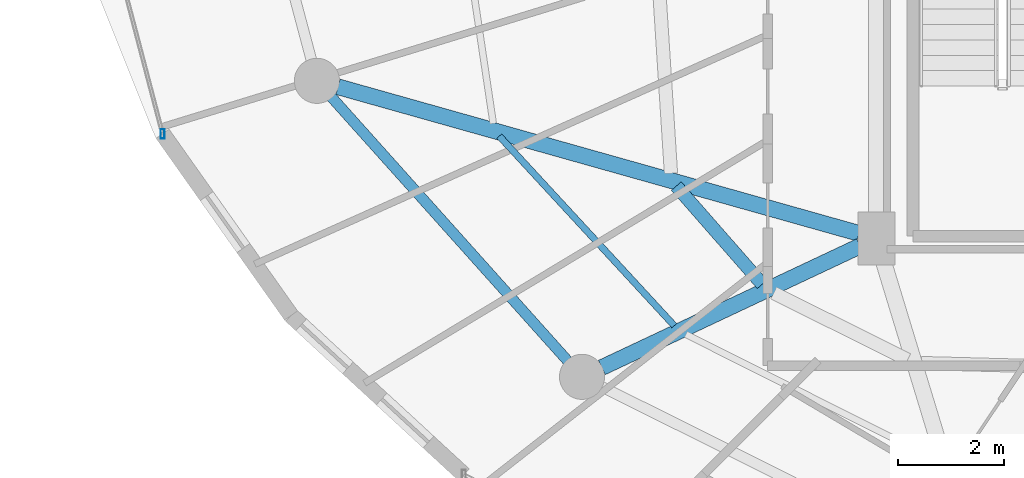
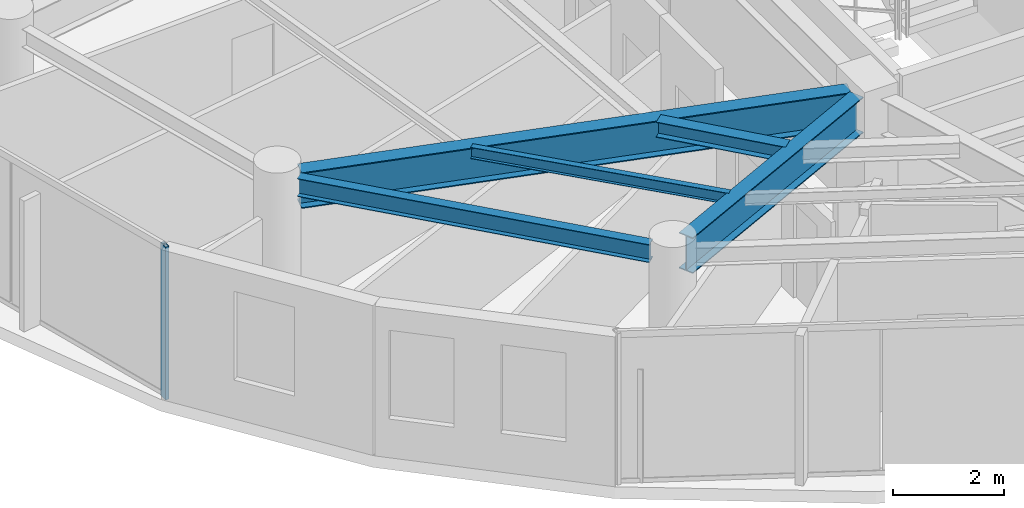
# One storey, part 3 of 29: 5 beams, 1 member, 1 element without a shape of its own.
"""IFC4 building model written with IfcOpenShell, lengths in metres."""

from ifc_helpers import new_model, si_unit, direction, frame, origin, origin_2d, place, context, subcontext, project, spatial, hollow_rectangle, i_section, extrude, material, material_profile, profile_set, type_object, element, aggregate, save


model = new_model("IFC4")

# Units and contexts
model_context = context("Model", 3, precision=1e-05, world=origin(), true_north=direction((0.0, 1.0)))
body_context = subcontext(model_context, "Body", "Model", "MODEL_VIEW")
ifc_project = project(units=[si_unit("LENGTHUNIT", "METRE"), si_unit("AREAUNIT", "SQUARE_METRE"), si_unit("VOLUMEUNIT", "CUBIC_METRE"), si_unit("PLANEANGLEUNIT", "RADIAN"), si_unit("MASSUNIT", "GRAM", prefix="KILO")], contexts=[model_context])

# Site, building, storey
site_placement = place(None, origin())
site = spatial("IfcSite", under=ifc_project, at=site_placement, CompositionType="ELEMENT")
building_placement = place(site_placement, origin())
building = spatial("IfcBuilding", under=site, at=building_placement, Name="Vorneva Point Tower", CompositionType="ELEMENT")
storey_placement = place(building_placement, frame((0.0, 0.0, 255.550048828125)))
storey = spatial("IfcBuildingStorey", under=building, at=storey_placement, Name="L69", CompositionType="ELEMENT", Elevation=255.550048828125)

# Beams
ifc_material_1 = material(Name="Steel S355", Category="steel")
ifc_material_profile_1 = material_profile(ifc_material_1, i_section(OverallWidth=0.300048828125, OverallDepth=0.7880859375, WebThickness=0.014404296875, FlangeThickness=0.02197265625, at=origin_2d()), Name="80Sh1")
ifc_profile_set_1 = profile_set([ifc_material_profile_1], Name="Steel S355")
beam_type_1 = type_object("IfcBeamType", Name="BM-GRD-80Sh1", PredefinedType="USERDEFINED", material=ifc_profile_set_1)
beam_1_placement = place(storey_placement, frame((17.102294921875, 19.305908203125, 2.89599609375), z_axis=(0.962601026021, -0.270922986664, 0.0), x_axis=(0.270922986664, 0.962601026021, 0.0)))
element("IfcBeam", 1, at=beam_1_placement, inside=storey, type_object=beam_type_1, Name="L69 Radial Primary Girder 10", ObjectType="GIRDER", PredefinedType="USERDEFINED", context=body_context, shape_type="SweptSolid", body=[
    extrude(i_section(OverallWidth=0.300048828125, OverallDepth=0.7880859375, WebThickness=0.014404296875, FlangeThickness=0.02197265625, at=origin_2d()), origin(), (0.0, 0.0, 1.0), 10.201904296875),
])
beam_2_placement = place(storey_placement, frame((22.074951171875, 14.013671875, 2.89599609375), z_axis=(0.904750812805, 0.425941271455, 0.0), x_axis=(-0.425941271455, 0.904750812805, 0.0)))
element("IfcBeam", 2, at=beam_2_placement, inside=storey, type_object=beam_type_1, Name="L69 Radial Primary Girder 11", ObjectType="GIRDER", PredefinedType="USERDEFINED", context=body_context, shape_type="SweptSolid", body=[
    extrude(i_section(OverallWidth=0.300048828125, OverallDepth=0.7880859375, WebThickness=0.014404296875, FlangeThickness=0.02197265625, at=origin_2d()), origin(), (0.0, 0.0, 1.0), 5.3798828125),
])
ifc_material_profile_2 = material_profile(ifc_material_1, i_section(OverallWidth=0.1240234375, OverallDepth=0.248046875, WebThickness=0.0048828125, FlangeThickness=0.008056640625, at=origin_2d()), Name="25B1")
ifc_profile_set_2 = profile_set([ifc_material_profile_2], Name="Steel S355")
beam_type_2 = type_object("IfcBeamType", Name="BM-JST-25B1", PredefinedType="JOIST", material=ifc_profile_set_2)
beam_3_placement = place(storey_placement, frame((20.14208984375, 18.37548828125, 3.166015625), z_axis=(0.678409362497, -0.734684106863, 0.0), x_axis=(0.734684106863, 0.678409362497, 0.0)))
element("IfcBeam", 3, at=beam_3_placement, inside=storey, type_object=beam_type_2, Name="L69 Secondary Floor Beam 1.10", PredefinedType="JOIST", context=body_context, shape_type="SweptSolid", body=[
    extrude(i_section(OverallWidth=0.1240234375, OverallDepth=0.248046875, WebThickness=0.0048828125, FlangeThickness=0.008056640625, at=origin_2d()), origin(), (0.0, 0.0, 1.0), 4.86328125),
])
ifc_material_profile_3 = material_profile(ifc_material_1, i_section(OverallWidth=0.2490234375, OverallDepth=0.333984375, WebThickness=0.008056640625, FlangeThickness=0.010986328125, at=origin_2d()), Name="35Sh1")
ifc_profile_set_3 = profile_set([ifc_material_profile_3], Name="Steel S355")
beam_type_3 = type_object("IfcBeamType", Name="BM-SEC-35Sh1", PredefinedType="BEAM", material=ifc_profile_set_3)
beam_4_placement = place(storey_placement, frame((23.478271484375, 17.433349609375, 3.123046875), z_axis=(0.659115881261, -0.752041391859, 0.0), x_axis=(0.752041391859, 0.659115881261, 0.0)))
element("IfcBeam", 4, at=beam_4_placement, inside=storey, type_object=beam_type_3, Name="L69 Secondary Floor Beam 2.10", PredefinedType="BEAM", context=body_context, shape_type="SweptSolid", body=[
    extrude(i_section(OverallWidth=0.2490234375, OverallDepth=0.333984375, WebThickness=0.008056640625, FlangeThickness=0.010986328125, at=origin_2d()), origin(), (0.0, 0.0, 1.0), 2.459228515625),
])
ifc_material_profile_4 = material_profile(ifc_material_1, i_section(OverallWidth=0.198974609375, OverallDepth=0.39599609375, WebThickness=0.007080078125, FlangeThickness=0.010986328125, at=origin_2d()), Name="40B1")
ifc_profile_set_4 = profile_set([ifc_material_profile_4], Name="Steel S355")
beam_type_4 = type_object("IfcBeamType", Name="BM-SPN-40B1", PredefinedType="SPANDREL", material=ifc_profile_set_4)
beam_5_placement = place(storey_placement, frame((16.97802734375, 19.1123046875, 3.092041015625), z_axis=(0.667108282638, -0.744960763554, 0.0), x_axis=(0.744960763554, 0.667108282638, 0.0)))
element("IfcBeam", 5, at=beam_5_placement, inside=storey, type_object=beam_type_4, Name="L69 Perimeter Spandrel Ring Beam 10", PredefinedType="SPANDREL", context=body_context, shape_type="SweptSolid", body=[
    extrude(i_section(OverallWidth=0.198974609375, OverallDepth=0.39599609375, WebThickness=0.007080078125, FlangeThickness=0.010986328125, at=origin_2d()), origin(), (0.0, 0.0, 1.0), 6.670166015625),
])

# Curtain wall, member
ifc_material_2 = material(Name="Pale anodised aluminium", Category="aluminium")
curtain_wall_type = type_object("IfcCurtainWallType", Name="CW-RES-SYS", PredefinedType="NOTDEFINED", material=ifc_material_2)
curtain_wall_placement = place(storey_placement, origin())
curtain_wall = element("IfcCurtainWall", 6, at=curtain_wall_placement, inside=storey, type_object=curtain_wall_type, Name="L69 Unitised Curtain Wall CW-L69-R03", PredefinedType="NOTDEFINED")
ifc_material_profile_5 = material_profile(ifc_material_2, hollow_rectangle(XDim=0.074951171875, YDim=0.179931640625, WallThickness=0.00390625, at=origin_2d()), Name="AL-MUL 180x75x4")
ifc_profile_set_5 = profile_set([ifc_material_profile_5], Name="Pale anodised aluminium")
member_type = type_object("IfcMemberType", Name="CW-MUL-180", PredefinedType="MULLION", material=ifc_profile_set_5)
member_placement = place(storey_placement, frame((13.79443359375, 18.4189453125, -0.0400390625), z_axis=(0.0, 0.0, 1.0), x_axis=(1.0, 0.0, 0.0)))
member = element("IfcMember", 7, at=member_placement, type_object=member_type, Name="CW-L69-R03 Mullion 03", PredefinedType="MULLION", context=body_context, shape_type="SweptSolid", body=[
    extrude(hollow_rectangle(XDim=0.074951171875, YDim=0.179931640625, WallThickness=0.00390625, at=origin_2d()), origin(), (0.0, 0.0, 1.0), 3.360107421875),
])
aggregate(curtain_wall, [member])

save(model, "model.ifc")
